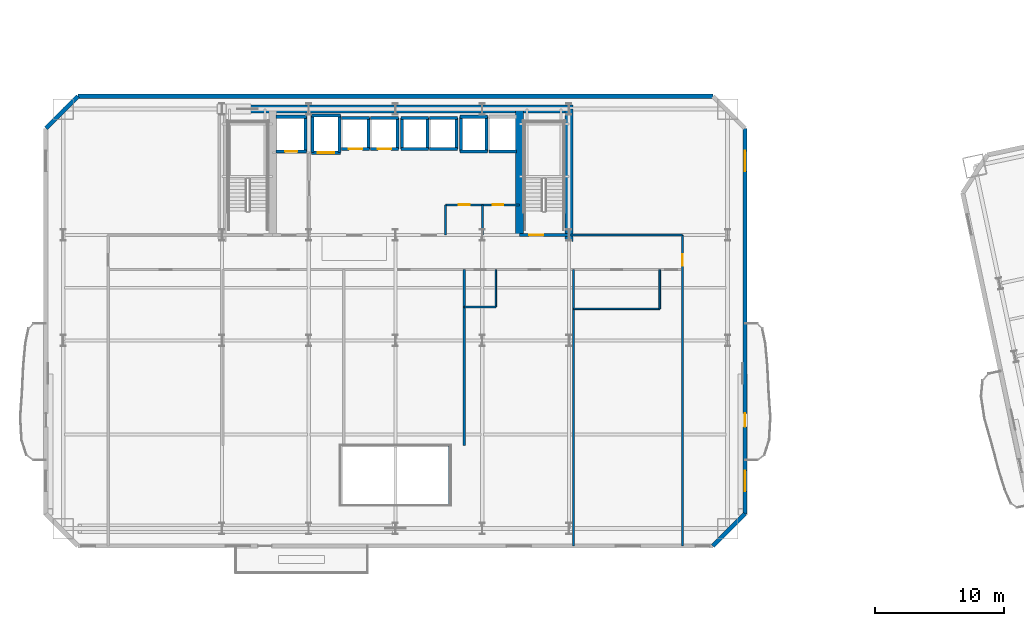
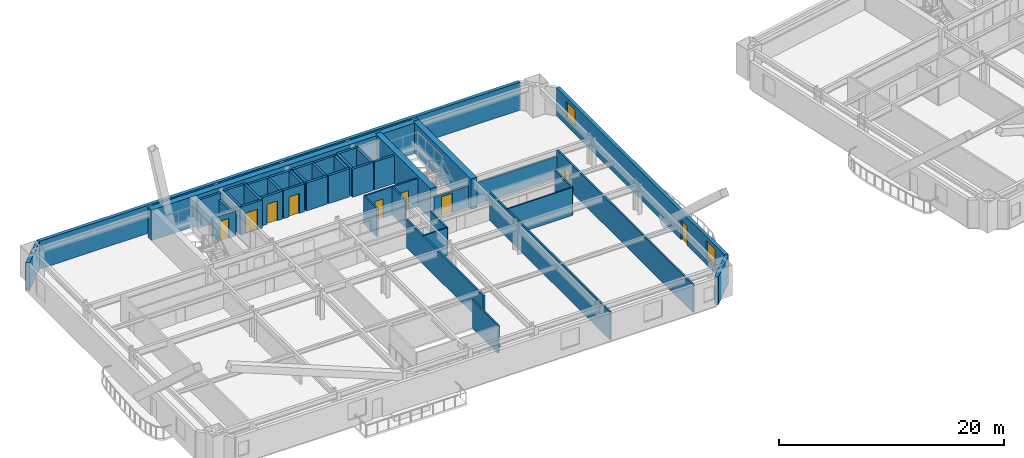
# One storey, part 6 of 17: 45 walls, 9 doors, 2 windows, 11 openings.
"""IFC4 building model written with IfcOpenShell, lengths in metres."""

from ifc_helpers import new_model, si_unit, direction, frame, frame_2d, origin, place, context, subcontext, project, spatial, rectangle, extrude, material, layer, layer_set, type_object, element, fill, save


model = new_model("IFC4")

# Units and contexts
model_context = context("Model", 3, precision=1e-05, world=origin(), true_north=direction((0.0, 1.0)))
body_context = subcontext(model_context, "Body", "Model", "MODEL_VIEW")
ifc_project = project(units=[si_unit("LENGTHUNIT", "METRE"), si_unit("AREAUNIT", "SQUARE_METRE"), si_unit("VOLUMEUNIT", "CUBIC_METRE"), si_unit("PLANEANGLEUNIT", "RADIAN"), si_unit("MASSUNIT", "GRAM", prefix="KILO")], contexts=[model_context])

# Site, building, storey
site_placement = place(None, origin())
site = spatial("IfcSite", under=ifc_project, at=site_placement, CompositionType="ELEMENT")
building_placement = place(site_placement, origin())
building = spatial("IfcBuilding", under=site, at=building_placement, Name="Haevon Station Towers", CompositionType="ELEMENT")
storey_placement = place(building_placement, frame((0.0, 0.0, 40.5)))
storey = spatial("IfcBuildingStorey", under=building, at=storey_placement, Name="L09", CompositionType="ELEMENT", Elevation=40.5)

# Wall
ifc_material_1 = material(Name="Gypsum board on steel stud", Category="steel")
ifc_layer_1 = layer(ifc_material_1, 0.179931640625)
ifc_layer_set_1 = layer_set([ifc_layer_1], Name="Gypsum board on steel stud")
wall_type_1 = type_object("IfcWallType", Name="WL-ACU180", PredefinedType="PARTITIONING", material=ifc_layer_set_1)
wall_1_placement = place(storey_placement, frame((42.864013671875, 21.800048828125, 0.0), z_axis=(0.0, 0.0, 1.0), x_axis=(0.0, 1.0, 0.0)))
element("IfcWall", 1, at=wall_1_placement, inside=storey, type_object=wall_type_1, Name="WL-T1PT-L09-12", PredefinedType="PARTITIONING", context=body_context, shape_type="SweptSolid", body=[
    extrude(rectangle(XDim=13.699951171875, YDim=0.179931640625, at=frame_2d((6.85009765625, 0.0))), origin(), (0.0, 0.0, 1.0), 3.030029296875),
])

# Wall, opening, door
ifc_layer_2 = layer(ifc_material_1, 0.199951171875)
ifc_layer_set_2 = layer_set([ifc_layer_2], Name="Gypsum board on steel stud")
wall_type_2 = type_object("IfcWallType", Name="WL-COR200", PredefinedType="PARTITIONING", material=ifc_layer_set_2)
wall_2_placement = place(storey_placement, frame((47.14990234375, 38.199951171875, 0.0), z_axis=(0.0, 0.0, 1.0), x_axis=(1.0, 0.0, 0.0)))
wall_2 = element("IfcWall", 2, at=wall_2_placement, inside=storey, type_object=wall_type_2, Name="WL-ST-ST2-L09", PredefinedType="PARTITIONING", context=body_context, shape_type="SweptSolid", body=[
    extrude(rectangle(XDim=3.85009765625, YDim=0.199951171875, at=frame_2d((1.925048828125, 0.0))), origin(), (0.0, 0.0, 1.0), 2.330078125),
])
opening_1_placement = place(wall_2_placement, frame((0.75, 0.0, 0.0)))
opening_1 = element("IfcOpeningElement", 3, at=opening_1_placement, cuts=wall_2, Name="Opening DR-ST-ST2-L09", PredefinedType="OPENING", context=body_context, shape_type="SweptSolid", body=[
    extrude(rectangle(XDim=1.1201171875, YDim=2.10009765625, at=frame_2d((0.56005859375, 1.050048828125))), frame((0.0, 0.10986328125, 0.0), z_axis=(0.0, -1.0, 0.0), x_axis=(1.0, 0.0, 0.0)), (0.0, 0.0, 1.0), 0.219970703125),
])
ifc_material_2 = material(Name="Engineered oak timber", Category="wood")
door_type_1 = type_object("IfcDoorType", Name="DR-ST-1120", OperationType="NOTDEFINED", PredefinedType="DOOR", material=ifc_material_2)
door_1_placement = place(opening_1_placement, origin())
door_1 = element("IfcDoor", 4, at=door_1_placement, inside=storey, type_object=door_type_1, Name="L09 Escape Stair ST2 Fire Door", OperationType="SINGLE_SWING_RIGHT", OverallHeight=2.10009765625, OverallWidth=1.1201171875, PredefinedType="DOOR", context=body_context, shape_type="SweptSolid", body=[
    extrude(rectangle(XDim=1.1201171875, YDim=2.10009765625, at=frame_2d((0.56005859375, 1.050048828125))), frame((0.0, 0.02490234375, 0.0), z_axis=(0.0, -1.0, 0.0), x_axis=(1.0, 0.0, 0.0)), (0.0, 0.0, 1.0), 0.050048828125),
])
fill(opening_1, door_1)

# Walls
ifc_material_3 = material(Name="Concrete C60/75", Category="concrete")
ifc_layer_3 = layer(ifc_material_3, 0.60009765625)
ifc_layer_set_3 = layer_set([ifc_layer_3], Name="Concrete C60/75")
wall_type_3 = type_object("IfcWallType", Name="WL-CR600", PredefinedType="SHEAR", material=ifc_layer_set_3)
wall_3_placement = place(storey_placement, frame((23.699951171875, 48.0, 0.0), z_axis=(0.0, 0.0, 1.0), x_axis=(1.0, 0.0, 0.0)))
element("IfcWall", 5, at=wall_3_placement, inside=storey, type_object=wall_type_3, Name="WL-T1CR-L09-N", PredefinedType="SHEAR", context=body_context, shape_type="SweptSolid", body=[
    extrude(rectangle(XDim=27.60009765625, YDim=0.60009765625, at=frame_2d((13.800048828125, 0.0))), origin(), (0.0, 0.0, 1.0), 3.300048828125),
])
wall_4_placement = place(storey_placement, frame((51.0, 37.679931640625, 0.0), z_axis=(0.0, 0.0, 1.0), x_axis=(0.0, 1.0, 0.0)))
element("IfcWall", 6, at=wall_4_placement, inside=storey, type_object=wall_type_3, Name="WL-T1CR-L09-E", PredefinedType="SHEAR", context=body_context, shape_type="SweptSolid", body=[
    extrude(rectangle(XDim=10.320068359375, YDim=0.60009765625, at=frame_2d((5.16015625, 0.0))), origin(), (0.0, 0.0, 1.0), 3.300048828125),
])
wall_5_placement = place(storey_placement, frame((47.14990234375, 38.199951171875, 0.0), z_axis=(0.0, 0.0, 1.0), x_axis=(0.0, 1.0, 0.0)))
element("IfcWall", 7, at=wall_5_placement, inside=storey, type_object=wall_type_3, Name="WL-T1CR-L09-M2", PredefinedType="SHEAR", context=body_context, shape_type="SweptSolid", body=[
    extrude(rectangle(XDim=9.800048828125, YDim=0.60009765625, at=frame_2d((4.89990234375, 0.0))), origin(), (0.0, 0.0, 1.0), 3.300048828125),
])
ifc_material_4 = material(Name="Precast concrete C45/55", Category="concrete")
ifc_layer_4 = layer(ifc_material_4, 0.340087890625)
ifc_layer_set_4 = layer_set([ifc_layer_4], Name="Precast concrete C45/55")
wall_type_4 = type_object("IfcWallType", Name="WL-EXT-PIER340", PredefinedType="SOLIDWALL", material=ifc_layer_set_4)
wall_6_placement = place(storey_placement, frame((10.300048828125, 46.5, 0.0), z_axis=(0.0, 0.0, 1.0), x_axis=(0.707106781187, 0.707106781187, 0.0)))
element("IfcWall", 8, at=wall_6_placement, inside=storey, type_object=wall_type_4, Name="WL-T1-L09-NWC", PredefinedType="SOLIDWALL", context=body_context, shape_type="SweptSolid", body=[
    extrude(rectangle(XDim=3.53564453125, YDim=0.340087890625, at=frame_2d((1.767822265625, 0.0))), origin(), (0.0, 0.0, 1.0), 3.030029296875),
])
wall_7_placement = place(storey_placement, frame((12.800048828125, 49.0, 0.0), z_axis=(0.0, 0.0, 1.0), x_axis=(1.0, 0.0, 0.0)))
element("IfcWall", 9, at=wall_7_placement, inside=storey, type_object=wall_type_4, Name="WL-T1-L09-N", PredefinedType="SOLIDWALL", context=body_context, shape_type="SweptSolid", body=[
    extrude(rectangle(XDim=49.39990234375, YDim=0.340087890625, at=frame_2d((24.699951171875, 0.0))), origin(), (0.0, 0.0, 1.0), 3.030029296875),
])

# Wall, openings, door, windows
wall_8_placement = place(storey_placement, frame((64.699951171875, 46.5, 0.0), z_axis=(0.0, 0.0, 1.0), x_axis=(0.0, -1.0, 0.0)))
wall_8 = element("IfcWall", 10, at=wall_8_placement, inside=storey, type_object=wall_type_4, Name="WL-T1-L09-E", PredefinedType="SOLIDWALL", context=body_context, shape_type="SweptSolid", body=[
    extrude(rectangle(XDim=30.0, YDim=0.340087890625, at=frame_2d((15.0, 0.0))), origin(), (0.0, 0.0, 1.0), 3.030029296875),
])
opening_2_placement = place(wall_8_placement, frame((22.175048828125, 0.0, 0.0)))
opening_2 = element("IfcOpeningElement", 11, at=opening_2_placement, cuts=wall_8, Name="Opening DR-T1-SCAL-L09-E", PredefinedType="OPENING", context=body_context, shape_type="SweptSolid", body=[
    extrude(rectangle(XDim=1.050048828125, YDim=2.10009765625, at=frame_2d((0.52490234375, 1.050048828125))), frame((0.0, 0.179931640625, 0.0), z_axis=(0.0, -1.0, 0.0), x_axis=(1.0, 0.0, 0.0)), (0.0, 0.0, 1.0), 0.360107421875),
])
opening_3_placement = place(wall_8_placement, frame((1.757080078125, 0.0, 0.800048828125)))
opening_3 = element("IfcOpeningElement", 12, at=opening_3_placement, cuts=wall_8, Name="Opening WN-END160", PredefinedType="OPENING", context=body_context, shape_type="SweptSolid", body=[
    extrude(rectangle(XDim=1.60009765625, YDim=1.800048828125, at=frame_2d((0.800048828125, 0.89990234375))), frame((0.0, 0.179931640625, 0.0), z_axis=(0.0, -1.0, 0.0), x_axis=(1.0, 0.0, 0.0)), (0.0, 0.0, 1.0), 0.360107421875),
])
opening_4_placement = place(wall_8_placement, frame((26.642822265625, 0.0, 0.800048828125)))
opening_4 = element("IfcOpeningElement", 13, at=opening_4_placement, cuts=wall_8, Name="Opening WN-END160", PredefinedType="OPENING", context=body_context, shape_type="SweptSolid", body=[
    extrude(rectangle(XDim=1.60009765625, YDim=1.800048828125, at=frame_2d((0.800048828125, 0.89990234375))), frame((0.0, 0.179931640625, 0.0), z_axis=(0.0, -1.0, 0.0), x_axis=(1.0, 0.0, 0.0)), (0.0, 0.0, 1.0), 0.360107421875),
])
ifc_material_5 = material(Name="Thermally broken anodised aluminium and laminated safety glass", Category="aluminium")
door_type_2 = type_object("IfcDoorType", Name="DR-BALC-1050", OperationType="NOTDEFINED", PredefinedType="DOOR", material=ifc_material_5)
door_2_placement = place(opening_2_placement, origin())
door_2 = element("IfcDoor", 14, at=door_2_placement, inside=storey, type_object=door_type_2, Name="Tower 1 L09 East Scalloped Balcony Door", OperationType="SINGLE_SWING_RIGHT", OverallHeight=2.10009765625, OverallWidth=1.050048828125, PredefinedType="DOOR", context=body_context, shape_type="SweptSolid", body=[
    extrude(rectangle(XDim=1.050048828125, YDim=2.10009765625, at=frame_2d((0.52490234375, 1.050048828125))), frame((0.0, 0.02490234375, 0.0), z_axis=(0.0, -1.0, 0.0), x_axis=(1.0, 0.0, 0.0)), (0.0, 0.0, 1.0), 0.050048828125),
])
fill(opening_2, door_2)
ifc_material_6 = material(Name="Low-E triple glazing in thermally broken aluminium", Category="aluminium")
window_type = type_object("IfcWindowType", Name="WN-END160", PartitioningType="SINGLE_PANEL", PredefinedType="WINDOW", material=ifc_material_6)
window_1_placement = place(opening_3_placement, origin())
window_1 = element("IfcWindow", 15, at=window_1_placement, inside=storey, type_object=window_type, Name="WN-T1-L09-E01", OverallHeight=1.800048828125, OverallWidth=1.60009765625, PartitioningType="SINGLE_PANEL", PredefinedType="WINDOW", context=body_context, shape_type="SweptSolid", body=[
    extrude(rectangle(XDim=1.60009765625, YDim=1.800048828125, at=frame_2d((0.800048828125, 0.89990234375))), frame((0.0, 0.030029296875, 0.0), z_axis=(0.0, -1.0, 0.0), x_axis=(1.0, 0.0, 0.0)), (0.0, 0.0, 1.0), 0.06005859375),
])
fill(opening_3, window_1)
window_2_placement = place(opening_4_placement, origin())
window_2 = element("IfcWindow", 16, at=window_2_placement, inside=storey, type_object=window_type, Name="WN-T1-L09-E02", OverallHeight=1.800048828125, OverallWidth=1.60009765625, PartitioningType="SINGLE_PANEL", PredefinedType="WINDOW", context=body_context, shape_type="SweptSolid", body=[
    extrude(rectangle(XDim=1.60009765625, YDim=1.800048828125, at=frame_2d((0.800048828125, 0.89990234375))), frame((0.0, 0.030029296875, 0.0), z_axis=(0.0, -1.0, 0.0), x_axis=(1.0, 0.0, 0.0)), (0.0, 0.0, 1.0), 0.06005859375),
])
fill(opening_4, window_2)

# Walls
wall_9_placement = place(storey_placement, frame((64.699951171875, 16.5, 0.0), z_axis=(0.0, 0.0, 1.0), x_axis=(-0.707106781187, -0.707106781187, 0.0)))
element("IfcWall", 17, at=wall_9_placement, inside=storey, type_object=wall_type_4, Name="WL-T1-L09-SEC", PredefinedType="SOLIDWALL", context=body_context, shape_type="SweptSolid", body=[
    extrude(rectangle(XDim=3.53564453125, YDim=0.340087890625, at=frame_2d((1.767822265625, 0.0))), origin(), (0.0, 0.0, 1.0), 3.030029296875),
])
ifc_layer_5 = layer(ifc_material_1, 0.125)
ifc_layer_set_5 = layer_set([ifc_layer_5], Name="Gypsum board on steel stud")
wall_type_5 = type_object("IfcWallType", Name="WL-PRT125", PredefinedType="PARTITIONING", material=ifc_layer_set_5)
wall_10_placement = place(storey_placement, frame((42.864013671875, 32.60009765625, 0.0), z_axis=(0.0, 0.0, 1.0), x_axis=(1.0, 0.0, 0.0)))
element("IfcWall", 18, at=wall_10_placement, inside=storey, type_object=wall_type_5, Name="WL-T1PT-L09-14", PredefinedType="PARTITIONING", context=body_context, shape_type="SweptSolid", body=[
    extrude(rectangle(XDim=2.449951171875, YDim=0.125, at=frame_2d((1.22509765625, 0.0))), origin(), (0.0, 0.0, 1.0), 3.030029296875),
])
wall_11_placement = place(storey_placement, frame((45.31396484375, 32.60009765625, 0.0), z_axis=(0.0, 0.0, 1.0), x_axis=(0.0, 1.0, 0.0)))
element("IfcWall", 19, at=wall_11_placement, inside=storey, type_object=wall_type_5, Name="WL-T1PT-L09-15", PredefinedType="PARTITIONING", context=body_context, shape_type="SweptSolid", body=[
    extrude(rectangle(XDim=2.89990234375, YDim=0.125, at=frame_2d((1.449951171875, 0.0))), origin(), (0.0, 0.0, 1.0), 3.030029296875),
])
wall_12_placement = place(storey_placement, frame((51.35693359375, 32.449951171875, 0.0), z_axis=(0.0, 0.0, 1.0), x_axis=(1.0, 0.0, 0.0)))
element("IfcWall", 20, at=wall_12_placement, inside=storey, type_object=wall_type_5, Name="WL-T1PT-L09-17", PredefinedType="PARTITIONING", context=body_context, shape_type="SweptSolid", body=[
    extrude(rectangle(XDim=6.713134765625, YDim=0.125, at=frame_2d((3.3564453125, 0.0))), origin(), (0.0, 0.0, 1.0), 3.030029296875),
])
wall_13_placement = place(storey_placement, frame((58.070068359375, 32.449951171875, 0.0), z_axis=(0.0, 0.0, 1.0), x_axis=(0.0, 1.0, 0.0)))
element("IfcWall", 21, at=wall_13_placement, inside=storey, type_object=wall_type_5, Name="WL-T1PT-L09-18", PredefinedType="PARTITIONING", context=body_context, shape_type="SweptSolid", body=[
    extrude(rectangle(XDim=3.050048828125, YDim=0.125, at=frame_2d((1.52490234375, 0.0))), origin(), (0.0, 0.0, 1.0), 3.030029296875),
])
ifc_layer_6 = layer(ifc_material_1, 0.159912109375)
ifc_layer_set_6 = layer_set([ifc_layer_6], Name="Gypsum board on steel stud")
wall_type_6 = type_object("IfcWallType", Name="WL-PRT160", PredefinedType="PARTITIONING", material=ifc_layer_set_6)
for number, where, z_axis, x_axis, name in (
    (22, (41.39990234375, 38.199951171875, 0.0), (0.0, 0.0, 1.0), (0.0, 1.0, 0.0), "WL-T1CW-L09-01"),
    (23, (44.280029296875, 38.199951171875, 0.0), (0.0, 0.0, 1.0), (0.0, 1.0, 0.0), "WL-T1CW-L09-02"),
):
    element("IfcWall", number, at=place(storey_placement, frame(where, z_axis=z_axis, x_axis=x_axis)), inside=storey, type_object=wall_type_6, Name=name, PredefinedType="PARTITIONING", context=body_context, shape_type="SweptSolid", body=[
        extrude(rectangle(XDim=2.35009765625, YDim=0.159912109375, at=frame_2d((1.175048828125, 0.0))), origin(), (0.0, 0.0, 1.0), 3.030029296875),
    ])

# Wall, openings, doors
wall_14_placement = place(storey_placement, frame((41.39990234375, 40.550048828125, 0.0), z_axis=(0.0, 0.0, 1.0), x_axis=(1.0, 0.0, 0.0)))
wall_14 = element("IfcWall", 24, at=wall_14_placement, inside=storey, type_object=wall_type_6, Name="WL-T1CW-L09-03", PredefinedType="PARTITIONING", context=body_context, shape_type="SweptSolid", body=[
    extrude(rectangle(XDim=5.75, YDim=0.159912109375, at=frame_2d((2.875, 0.0))), origin(), (0.0, 0.0, 1.0), 3.030029296875),
])
opening_5_placement = place(wall_14_placement, frame((1.034912109375, 0.0, 0.0)))
opening_5 = element("IfcOpeningElement", 25, at=opening_5_placement, cuts=wall_14, Name="Opening DR-WL-T1CW-L09-03-1", PredefinedType="OPENING", context=body_context, shape_type="SweptSolid", body=[
    extrude(rectangle(XDim=0.85009765625, YDim=2.050048828125, at=frame_2d((0.425048828125, 1.02490234375))), frame((0.0, 0.08984375, 0.0), z_axis=(0.0, -1.0, 0.0), x_axis=(1.0, 0.0, 0.0)), (0.0, 0.0, 1.0), 0.179931640625),
])
opening_6_placement = place(wall_14_placement, frame((3.655029296875, 0.0, 0.0)))
opening_6 = element("IfcOpeningElement", 26, at=opening_6_placement, cuts=wall_14, Name="Opening DR-WL-T1CW-L09-03-2", PredefinedType="OPENING", context=body_context, shape_type="SweptSolid", body=[
    extrude(rectangle(XDim=0.85009765625, YDim=2.050048828125, at=frame_2d((0.425048828125, 1.02490234375))), frame((0.0, 0.08984375, 0.0), z_axis=(0.0, -1.0, 0.0), x_axis=(1.0, 0.0, 0.0)), (0.0, 0.0, 1.0), 0.179931640625),
])
door_type_3 = type_object("IfcDoorType", Name="DR-FD30-850", OperationType="NOTDEFINED", PredefinedType="DOOR", material=ifc_material_2)
door_3_placement = place(opening_5_placement, origin())
door_3 = element("IfcDoor", 27, at=door_3_placement, inside=storey, type_object=door_type_3, Name="L09 Tower 1 Core Room Door 3-1", OperationType="SINGLE_SWING_LEFT", OverallHeight=2.050048828125, OverallWidth=0.85009765625, PredefinedType="DOOR", context=body_context, shape_type="SweptSolid", body=[
    extrude(rectangle(XDim=0.85009765625, YDim=2.050048828125, at=frame_2d((0.425048828125, 1.02490234375))), frame((0.0, 0.02490234375, 0.0), z_axis=(0.0, -1.0, 0.0), x_axis=(1.0, 0.0, 0.0)), (0.0, 0.0, 1.0), 0.050048828125),
])
fill(opening_5, door_3)
door_4_placement = place(opening_6_placement, origin())
door_4 = element("IfcDoor", 28, at=door_4_placement, inside=storey, type_object=door_type_3, Name="L09 Tower 1 Core Room Door 3-2", OperationType="SINGLE_SWING_RIGHT", OverallHeight=2.050048828125, OverallWidth=0.85009765625, PredefinedType="DOOR", context=body_context, shape_type="SweptSolid", body=[
    extrude(rectangle(XDim=0.85009765625, YDim=2.050048828125, at=frame_2d((0.425048828125, 1.02490234375))), frame((0.0, 0.02490234375, 0.0), z_axis=(0.0, -1.0, 0.0), x_axis=(1.0, 0.0, 0.0)), (0.0, 0.0, 1.0), 0.050048828125),
])
fill(opening_6, door_4)

# Wall
wall_15_placement = place(storey_placement, frame((51.0, 38.199951171875, 0.0), z_axis=(0.0, 0.0, 1.0), x_axis=(1.0, 0.0, 0.0)))
element("IfcWall", 29, at=wall_15_placement, inside=storey, type_object=wall_type_6, Name="WL-T1PT-L09-02", PredefinedType="PARTITIONING", context=body_context, shape_type="SweptSolid", body=[
    extrude(rectangle(XDim=8.85009765625, YDim=0.159912109375, at=frame_2d((4.425048828125, 0.0))), origin(), (0.0, 0.0, 1.0), 2.330078125),
])

# Wall, opening, door
wall_16_placement = place(storey_placement, frame((59.85009765625, 14.0, 0.0), z_axis=(0.0, 0.0, 1.0), x_axis=(0.0, 1.0, 0.0)))
wall_16 = element("IfcWall", 30, at=wall_16_placement, inside=storey, type_object=wall_type_6, Name="WL-T1PT-L09-04", PredefinedType="PARTITIONING", context=body_context, shape_type="SweptSolid", body=[
    extrude(rectangle(XDim=24.199951171875, YDim=0.159912109375, at=frame_2d((12.10009765625, 0.0))), origin(), (0.0, 0.0, 1.0), 3.030029296875),
])
opening_7_placement = place(wall_16_placement, frame((21.820068359375, 0.0, 0.0)))
opening_7 = element("IfcOpeningElement", 31, at=opening_7_placement, cuts=wall_16, Name="Opening DR-WL-T1PT-L09-04-01", PredefinedType="OPENING", context=body_context, shape_type="SweptSolid", body=[
    extrude(rectangle(XDim=0.89990234375, YDim=2.050048828125, at=frame_2d((0.449951171875, 1.02490234375))), frame((0.0, 0.08984375, 0.0), z_axis=(0.0, -1.0, 0.0), x_axis=(1.0, 0.0, 0.0)), (0.0, 0.0, 1.0), 0.179931640625),
])
door_type_4 = type_object("IfcDoorType", Name="DR-INT-900", OperationType="NOTDEFINED", PredefinedType="DOOR", material=ifc_material_2)
door_5_placement = place(opening_7_placement, origin())
door_5 = element("IfcDoor", 32, at=door_5_placement, inside=storey, type_object=door_type_4, Name="L09 Tower 1 Room Door 4-1", OperationType="SINGLE_SWING_RIGHT", OverallHeight=2.050048828125, OverallWidth=0.89990234375, PredefinedType="DOOR", context=body_context, shape_type="SweptSolid", body=[
    extrude(rectangle(XDim=0.89990234375, YDim=2.050048828125, at=frame_2d((0.449951171875, 1.02490234375))), frame((0.0, 0.02490234375, 0.0), z_axis=(0.0, -1.0, 0.0), x_axis=(1.0, 0.0, 0.0)), (0.0, 0.0, 1.0), 0.050048828125),
])
fill(opening_7, door_5)

# Walls
wall_17_placement = place(storey_placement, frame((41.699951171875, 17.199951171875, 0.0), z_axis=(0.0, 0.0, 1.0), x_axis=(0.0, 1.0, 0.0)))
element("IfcWall", 33, at=wall_17_placement, inside=storey, type_object=wall_type_6, Name="WL-T1PT-L09-08", PredefinedType="PARTITIONING", context=body_context, shape_type="SweptSolid", body=[
    extrude(rectangle(XDim=4.60009765625, YDim=0.159912109375, at=frame_2d((2.300048828125, 0.0))), origin(), (0.0, 0.0, 1.0), 3.030029296875),
])
wall_18_placement = place(storey_placement, frame((51.35693359375, 14.0, 0.0), z_axis=(0.0, 0.0, 1.0), x_axis=(0.0, 1.0, 0.0)))
element("IfcWall", 34, at=wall_18_placement, inside=storey, type_object=wall_type_6, Name="WL-T1PT-L09-16", PredefinedType="PARTITIONING", context=body_context, shape_type="SweptSolid", body=[
    extrude(rectangle(XDim=21.5, YDim=0.159912109375, at=frame_2d((10.75, 0.0))), origin(), (0.0, 0.0, 1.0), 3.030029296875),
])

# Wall, opening, door
ifc_material_7 = material(Name="Concrete C40/50", Category="concrete")
ifc_layer_7 = layer(ifc_material_7, 0.239990234375)
ifc_layer_set_7 = layer_set([ifc_layer_7], Name="Concrete C40/50")
wall_type_7 = type_object("IfcWallType", Name="WL-SHF240", PredefinedType="PARTITIONING", material=ifc_layer_set_7)
wall_19_placement = place(storey_placement, frame((28.219970703125, 44.699951171875, 0.0), z_axis=(0.0, 0.0, 1.0), x_axis=(1.0, 0.0, 0.0)))
wall_19 = element("IfcWall", 35, at=wall_19_placement, inside=storey, type_object=wall_type_7, Name="WL-SHF-FL1-L09", PredefinedType="PARTITIONING", context=body_context, shape_type="SweptSolid", body=[
    extrude(rectangle(XDim=2.360107421875, YDim=0.239990234375, at=frame_2d((1.18017578125, 0.0))), origin(), (0.0, 0.0, 1.0), 2.72998046875),
])
opening_8_placement = place(wall_19_placement, frame((0.705078125, 0.0, 0.0)))
opening_8 = element("IfcOpeningElement", 36, at=opening_8_placement, cuts=wall_19, Name="Opening LD-FL1-L09", PredefinedType="OPENING", context=body_context, shape_type="SweptSolid", body=[
    extrude(rectangle(XDim=0.949951171875, YDim=2.14990234375, at=frame_2d((0.47509765625, 1.074951171875))), frame((0.0, 0.1298828125, 0.0), z_axis=(0.0, -1.0, 0.0), x_axis=(1.0, 0.0, 0.0)), (0.0, 0.0, 1.0), 0.260009765625),
])
ifc_material_8 = material(Name="Stainless steel and rated core", Category="steel")
door_type_5 = type_object("IfcDoorType", Name="LD-FL950", OperationType="SLIDING_TO_LEFT", PredefinedType="DOOR", material=ifc_material_8)
door_6_placement = place(opening_8_placement, origin())
door_6 = element("IfcDoor", 37, at=door_6_placement, inside=storey, type_object=door_type_5, Name="L09 Lift FL1 Sliding Landing Door", OperationType="SLIDING_TO_LEFT", OverallHeight=2.14990234375, OverallWidth=0.949951171875, PredefinedType="DOOR", context=body_context, shape_type="SweptSolid", body=[
    extrude(rectangle(XDim=0.949951171875, YDim=2.14990234375, at=frame_2d((0.47509765625, 1.074951171875))), frame((0.0, 0.02490234375, 0.0), z_axis=(0.0, -1.0, 0.0), x_axis=(1.0, 0.0, 0.0)), (0.0, 0.0, 1.0), 0.050048828125),
])
fill(opening_8, door_6)

# Walls
wall_20_placement = place(storey_placement, frame((28.219970703125, 47.39990234375, 0.0), z_axis=(0.0, 0.0, 1.0), x_axis=(1.0, 0.0, 0.0)))
element("IfcWall", 38, at=wall_20_placement, inside=storey, type_object=wall_type_7, Name="WL-SHF-FL1-L09-N", PredefinedType="PARTITIONING", context=body_context, shape_type="SweptSolid", body=[
    extrude(rectangle(XDim=2.360107421875, YDim=0.239990234375, at=frame_2d((1.18017578125, 0.0))), origin(), (0.0, 0.0, 1.0), 3.030029296875),
])
wall_21_placement = place(storey_placement, frame((30.5, 44.699951171875, 0.0), z_axis=(0.0, 0.0, 1.0), x_axis=(0.0, 1.0, 0.0)))
element("IfcWall", 39, at=wall_21_placement, inside=storey, type_object=wall_type_7, Name="WL-SHF-FL1-L09-E", PredefinedType="PARTITIONING", context=body_context, shape_type="SweptSolid", body=[
    extrude(rectangle(XDim=2.699951171875, YDim=0.239990234375, at=frame_2d((1.35009765625, 0.0))), origin(), (0.0, 0.0, 1.0), 2.330078125),
])

# Wall, opening, door
wall_22_placement = place(storey_placement, frame((30.969970703125, 44.60009765625, 0.0), z_axis=(0.0, 0.0, 1.0), x_axis=(1.0, 0.0, 0.0)))
wall_22 = element("IfcWall", 40, at=wall_22_placement, inside=storey, type_object=wall_type_7, Name="WL-SHF-SL1-L09", PredefinedType="PARTITIONING", context=body_context, shape_type="SweptSolid", body=[
    extrude(rectangle(XDim=2.260009765625, YDim=0.239990234375, at=frame_2d((1.1298828125, 0.0))), origin(), (0.0, 0.0, 1.0), 3.030029296875),
])
opening_9_placement = place(wall_22_placement, frame((0.5048828125, 0.0, 0.0)))
opening_9 = element("IfcOpeningElement", 41, at=opening_9_placement, cuts=wall_22, Name="Opening LD-SL1-L09", PredefinedType="OPENING", context=body_context, shape_type="SweptSolid", body=[
    extrude(rectangle(XDim=1.25, YDim=2.199951171875, at=frame_2d((0.625, 1.10009765625))), frame((0.0, 0.1298828125, 0.0), z_axis=(0.0, -1.0, 0.0), x_axis=(1.0, 0.0, 0.0)), (0.0, 0.0, 1.0), 0.260009765625),
])
door_type_6 = type_object("IfcDoorType", Name="LD-SL1250", OperationType="SLIDING_TO_LEFT", PredefinedType="DOOR", material=ifc_material_8)
door_7_placement = place(opening_9_placement, origin())
door_7 = element("IfcDoor", 42, at=door_7_placement, inside=storey, type_object=door_type_6, Name="L09 Lift SL1 Sliding Landing Door", OperationType="SLIDING_TO_LEFT", OverallHeight=2.199951171875, OverallWidth=1.25, PredefinedType="DOOR", context=body_context, shape_type="SweptSolid", body=[
    extrude(rectangle(XDim=1.25, YDim=2.199951171875, at=frame_2d((0.625, 1.10009765625))), frame((0.0, 0.02490234375, 0.0), z_axis=(0.0, -1.0, 0.0), x_axis=(1.0, 0.0, 0.0)), (0.0, 0.0, 1.0), 0.050048828125),
])
fill(opening_9, door_7)

# Walls
wall_23_placement = place(storey_placement, frame((30.969970703125, 47.5, 0.0), z_axis=(0.0, 0.0, 1.0), x_axis=(1.0, 0.0, 0.0)))
element("IfcWall", 43, at=wall_23_placement, inside=storey, type_object=wall_type_7, Name="WL-SHF-SL1-L09-N", PredefinedType="PARTITIONING", context=body_context, shape_type="SweptSolid", body=[
    extrude(rectangle(XDim=2.260009765625, YDim=0.239990234375, at=frame_2d((1.1298828125, 0.0))), origin(), (0.0, 0.0, 1.0), 3.030029296875),
])
for number, where, z_axis, x_axis, name in (
    (44, (31.050048828125, 44.60009765625, 0.0), (0.0, 0.0, 1.0), (0.0, 1.0, 0.0), "WL-SHF-SL1-L09-W"),
    (45, (33.14990234375, 44.60009765625, 0.0), (0.0, 0.0, 1.0), (0.0, 1.0, 0.0), "WL-SHF-SL1-L09-E"),
):
    element("IfcWall", number, at=place(storey_placement, frame(where, z_axis=z_axis, x_axis=x_axis)), inside=storey, type_object=wall_type_7, Name=name, PredefinedType="PARTITIONING", context=body_context, shape_type="SweptSolid", body=[
        extrude(rectangle(XDim=2.89990234375, YDim=0.239990234375, at=frame_2d((1.449951171875, 0.0))), origin(), (0.0, 0.0, 1.0), 3.030029296875),
    ])

# Wall, opening, door
wall_24_placement = place(storey_placement, frame((33.320068359375, 44.89990234375, 0.0), z_axis=(0.0, 0.0, 1.0), x_axis=(1.0, 0.0, 0.0)))
wall_24 = element("IfcWall", 46, at=wall_24_placement, inside=storey, type_object=wall_type_7, Name="WL-SHF-PL1-L09", PredefinedType="PARTITIONING", context=body_context, shape_type="SweptSolid", body=[
    extrude(rectangle(XDim=2.159912109375, YDim=0.239990234375, at=frame_2d((1.080078125, 0.0))), origin(), (0.0, 0.0, 1.0), 3.030029296875),
])
opening_10_placement = place(wall_24_placement, frame((0.554931640625, 0.0, 0.0)))
opening_10 = element("IfcOpeningElement", 47, at=opening_10_placement, cuts=wall_24, Name="Opening LD-PL1-L09", PredefinedType="OPENING", context=body_context, shape_type="SweptSolid", body=[
    extrude(rectangle(XDim=1.050048828125, YDim=2.14990234375, at=frame_2d((0.52490234375, 1.074951171875))), frame((0.0, 0.1298828125, 0.0), z_axis=(0.0, -1.0, 0.0), x_axis=(1.0, 0.0, 0.0)), (0.0, 0.0, 1.0), 0.260009765625),
])
door_type_7 = type_object("IfcDoorType", Name="LD-PL1050", OperationType="SLIDING_TO_LEFT", PredefinedType="DOOR", material=ifc_material_8)
door_8_placement = place(opening_10_placement, origin())
door_8 = element("IfcDoor", 48, at=door_8_placement, inside=storey, type_object=door_type_7, Name="L09 Lift PL1 Sliding Landing Door", OperationType="SLIDING_TO_LEFT", OverallHeight=2.14990234375, OverallWidth=1.050048828125, PredefinedType="DOOR", context=body_context, shape_type="SweptSolid", body=[
    extrude(rectangle(XDim=1.050048828125, YDim=2.14990234375, at=frame_2d((0.52490234375, 1.074951171875))), frame((0.0, 0.02490234375, 0.0), z_axis=(0.0, -1.0, 0.0), x_axis=(1.0, 0.0, 0.0)), (0.0, 0.0, 1.0), 0.050048828125),
])
fill(opening_10, door_8)

# Walls
wall_25_placement = place(storey_placement, frame((33.320068359375, 47.300048828125, 0.0), z_axis=(0.0, 0.0, 1.0), x_axis=(1.0, 0.0, 0.0)))
element("IfcWall", 49, at=wall_25_placement, inside=storey, type_object=wall_type_7, Name="WL-SHF-PL1-L09-N", PredefinedType="PARTITIONING", context=body_context, shape_type="SweptSolid", body=[
    extrude(rectangle(XDim=2.159912109375, YDim=0.239990234375, at=frame_2d((1.080078125, 0.0))), origin(), (0.0, 0.0, 1.0), 3.030029296875),
])
wall_26_placement = place(storey_placement, frame((35.39990234375, 44.89990234375, 0.0), z_axis=(0.0, 0.0, 1.0), x_axis=(0.0, 1.0, 0.0)))
element("IfcWall", 50, at=wall_26_placement, inside=storey, type_object=wall_type_7, Name="WL-SHF-PL1-L09-E", PredefinedType="PARTITIONING", context=body_context, shape_type="SweptSolid", body=[
    extrude(rectangle(XDim=2.400146484375, YDim=0.239990234375, at=frame_2d((1.2001953125, 0.0))), origin(), (0.0, 0.0, 1.0), 3.030029296875),
])

# Wall, opening, door
wall_27_placement = place(storey_placement, frame((35.570068359375, 44.89990234375, 0.0), z_axis=(0.0, 0.0, 1.0), x_axis=(1.0, 0.0, 0.0)))
wall_27 = element("IfcWall", 51, at=wall_27_placement, inside=storey, type_object=wall_type_7, Name="WL-SHF-PL2-L09", PredefinedType="PARTITIONING", context=body_context, shape_type="SweptSolid", body=[
    extrude(rectangle(XDim=2.159912109375, YDim=0.239990234375, at=frame_2d((1.080078125, 0.0))), origin(), (0.0, 0.0, 1.0), 3.030029296875),
])
opening_11_placement = place(wall_27_placement, frame((0.554931640625, 0.0, 0.0)))
opening_11 = element("IfcOpeningElement", 52, at=opening_11_placement, cuts=wall_27, Name="Opening LD-PL2-L09", PredefinedType="OPENING", context=body_context, shape_type="SweptSolid", body=[
    extrude(rectangle(XDim=1.050048828125, YDim=2.14990234375, at=frame_2d((0.52490234375, 1.074951171875))), frame((0.0, 0.1298828125, 0.0), z_axis=(0.0, -1.0, 0.0), x_axis=(1.0, 0.0, 0.0)), (0.0, 0.0, 1.0), 0.260009765625),
])
door_9_placement = place(opening_11_placement, origin())
door_9 = element("IfcDoor", 53, at=door_9_placement, inside=storey, type_object=door_type_7, Name="L09 Lift PL2 Sliding Landing Door", OperationType="SLIDING_TO_LEFT", OverallHeight=2.14990234375, OverallWidth=1.050048828125, PredefinedType="DOOR", context=body_context, shape_type="SweptSolid", body=[
    extrude(rectangle(XDim=1.050048828125, YDim=2.14990234375, at=frame_2d((0.52490234375, 1.074951171875))), frame((0.0, 0.02490234375, 0.0), z_axis=(0.0, -1.0, 0.0), x_axis=(1.0, 0.0, 0.0)), (0.0, 0.0, 1.0), 0.050048828125),
])
fill(opening_11, door_9)

# Walls
wall_28_placement = place(storey_placement, frame((35.570068359375, 47.300048828125, 0.0), z_axis=(0.0, 0.0, 1.0), x_axis=(1.0, 0.0, 0.0)))
element("IfcWall", 54, at=wall_28_placement, inside=storey, type_object=wall_type_7, Name="WL-SHF-PL2-L09-N", PredefinedType="PARTITIONING", context=body_context, shape_type="SweptSolid", body=[
    extrude(rectangle(XDim=2.159912109375, YDim=0.239990234375, at=frame_2d((1.080078125, 0.0))), origin(), (0.0, 0.0, 1.0), 3.030029296875),
])
wall_29_placement = place(storey_placement, frame((37.64990234375, 44.89990234375, 0.0), z_axis=(0.0, 0.0, 1.0), x_axis=(0.0, 1.0, 0.0)))
element("IfcWall", 55, at=wall_29_placement, inside=storey, type_object=wall_type_7, Name="WL-SHF-PL2-L09-E", PredefinedType="PARTITIONING", context=body_context, shape_type="SweptSolid", body=[
    extrude(rectangle(XDim=2.400146484375, YDim=0.239990234375, at=frame_2d((1.2001953125, 0.0))), origin(), (0.0, 0.0, 1.0), 3.030029296875),
])
for number, where, z_axis, x_axis, name in (
    (56, (37.919921875, 44.89990234375, 0.0), (0.0, 0.0, 1.0), (1.0, 0.0, 0.0), "WL-SHF-PL3-L09"),
    (57, (37.919921875, 47.300048828125, 0.0), (0.0, 0.0, 1.0), (1.0, 0.0, 0.0), "WL-SHF-PL3-L09-N"),
):
    element("IfcWall", number, at=place(storey_placement, frame(where, z_axis=z_axis, x_axis=x_axis)), inside=storey, type_object=wall_type_7, Name=name, PredefinedType="PARTITIONING", context=body_context, shape_type="SweptSolid", body=[
        extrude(rectangle(XDim=2.16015625, YDim=0.239990234375, at=frame_2d((1.080078125, 0.0))), origin(), (0.0, 0.0, 1.0), 3.030029296875),
    ])
for number, where, z_axis, x_axis, name in (
    (58, (38.0, 44.89990234375, 0.0), (0.0, 0.0, 1.0), (0.0, 1.0, 0.0), "WL-SHF-PL3-L09-W"),
    (59, (40.0, 44.89990234375, 0.0), (0.0, 0.0, 1.0), (0.0, 1.0, 0.0), "WL-SHF-PL3-L09-E"),
):
    element("IfcWall", number, at=place(storey_placement, frame(where, z_axis=z_axis, x_axis=x_axis)), inside=storey, type_object=wall_type_7, Name=name, PredefinedType="PARTITIONING", context=body_context, shape_type="SweptSolid", body=[
        extrude(rectangle(XDim=2.400146484375, YDim=0.239990234375, at=frame_2d((1.2001953125, 0.0))), origin(), (0.0, 0.0, 1.0), 3.030029296875),
    ])
for number, where, z_axis, x_axis, name in (
    (60, (40.169921875, 44.89990234375, 0.0), (0.0, 0.0, 1.0), (1.0, 0.0, 0.0), "WL-SHF-PL4-L09"),
    (61, (40.169921875, 47.300048828125, 0.0), (0.0, 0.0, 1.0), (1.0, 0.0, 0.0), "WL-SHF-PL4-L09-N"),
):
    element("IfcWall", number, at=place(storey_placement, frame(where, z_axis=z_axis, x_axis=x_axis)), inside=storey, type_object=wall_type_7, Name=name, PredefinedType="PARTITIONING", context=body_context, shape_type="SweptSolid", body=[
        extrude(rectangle(XDim=2.16015625, YDim=0.239990234375, at=frame_2d((1.080078125, 0.0))), origin(), (0.0, 0.0, 1.0), 3.030029296875),
    ])
wall_30_placement = place(storey_placement, frame((42.25, 44.89990234375, 0.0), z_axis=(0.0, 0.0, 1.0), x_axis=(0.0, 1.0, 0.0)))
element("IfcWall", 62, at=wall_30_placement, inside=storey, type_object=wall_type_7, Name="WL-SHF-PL4-L09-E", PredefinedType="PARTITIONING", context=body_context, shape_type="SweptSolid", body=[
    extrude(rectangle(XDim=2.400146484375, YDim=0.239990234375, at=frame_2d((1.2001953125, 0.0))), origin(), (0.0, 0.0, 1.0), 3.030029296875),
])
for number, where, z_axis, x_axis, name in (
    (63, (42.52001953125, 44.699951171875, 0.0), (0.0, 0.0, 1.0), (1.0, 0.0, 0.0), "WL-SHF-PL5-L09"),
    (64, (42.52001953125, 47.39990234375, 0.0), (0.0, 0.0, 1.0), (1.0, 0.0, 0.0), "WL-SHF-PL5-L09-N"),
):
    element("IfcWall", number, at=place(storey_placement, frame(where, z_axis=z_axis, x_axis=x_axis)), inside=storey, type_object=wall_type_7, Name=name, PredefinedType="PARTITIONING", context=body_context, shape_type="SweptSolid", body=[
        extrude(rectangle(XDim=2.159912109375, YDim=0.239990234375, at=frame_2d((1.080078125, 0.0))), origin(), (0.0, 0.0, 1.0), 3.030029296875),
    ])
for number, where, z_axis, x_axis, name in (
    (65, (42.60009765625, 44.699951171875, 0.0), (0.0, 0.0, 1.0), (0.0, 1.0, 0.0), "WL-SHF-PL5-L09-W"),
    (66, (44.60009765625, 44.699951171875, 0.0), (0.0, 0.0, 1.0), (0.0, 1.0, 0.0), "WL-SHF-PL5-L09-E"),
):
    element("IfcWall", number, at=place(storey_placement, frame(where, z_axis=z_axis, x_axis=x_axis)), inside=storey, type_object=wall_type_7, Name=name, PredefinedType="PARTITIONING", context=body_context, shape_type="SweptSolid", body=[
        extrude(rectangle(XDim=2.699951171875, YDim=0.239990234375, at=frame_2d((1.35009765625, 0.0))), origin(), (0.0, 0.0, 1.0), 3.030029296875),
    ])
wall_31_placement = place(storey_placement, frame((44.77001953125, 44.699951171875, 0.0), z_axis=(0.0, 0.0, 1.0), x_axis=(1.0, 0.0, 0.0)))
element("IfcWall", 67, at=wall_31_placement, inside=storey, type_object=wall_type_7, Name="WL-SHF-PL6-L09", PredefinedType="PARTITIONING", context=body_context, shape_type="SweptSolid", body=[
    extrude(rectangle(XDim=2.159912109375, YDim=0.239990234375, at=frame_2d((1.080078125, 0.0))), origin(), (0.0, 0.0, 1.0), 3.030029296875),
])

save(model, "model.ifc")
